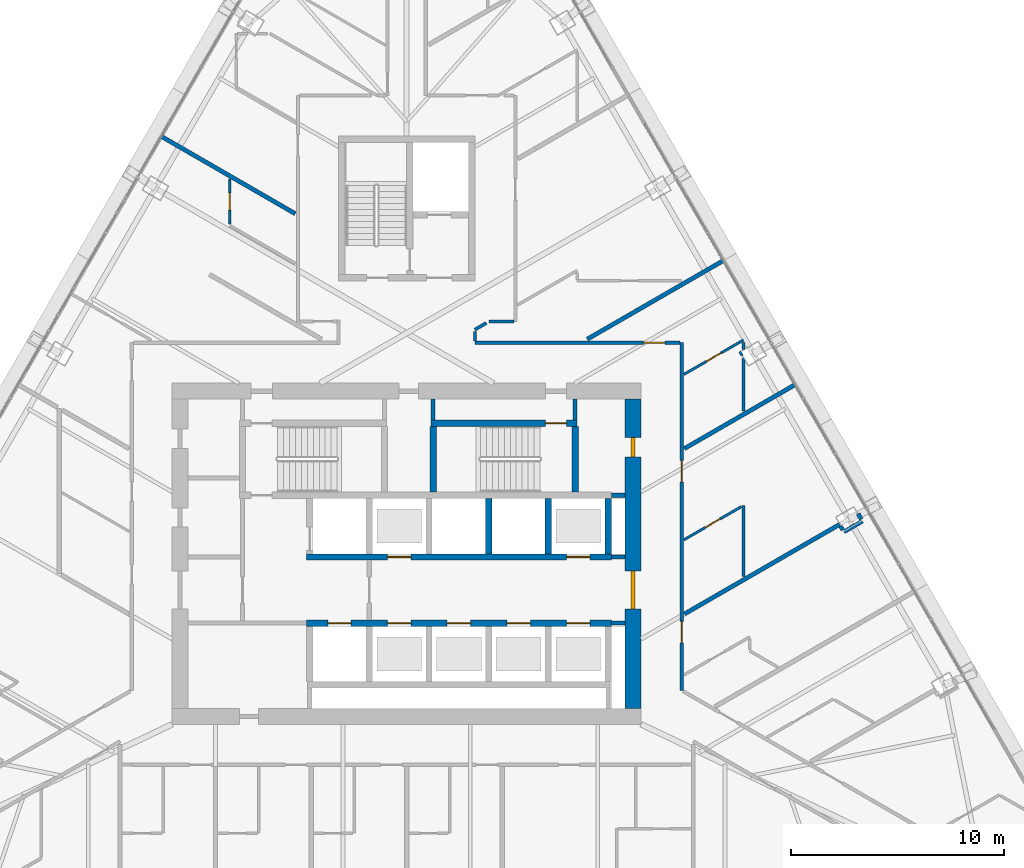
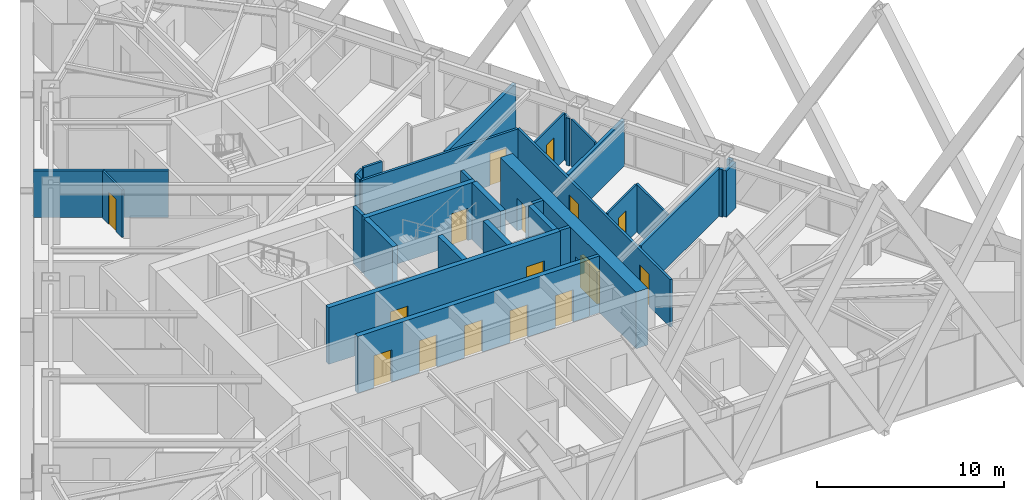
# One storey, part 20 of 24: 33 walls, 16 doors, 16 openings.
"""IFC4 building model written with IfcOpenShell, lengths in metres."""

from ifc_helpers import new_model, si_unit, direction, frame, frame_2d, origin, place, context, subcontext, project, spatial, rectangle, extrude, material, layer, layer_set, type_object, element, fill, save


model = new_model("IFC4")

# Units and contexts
model_context = context("Model", 3, precision=1e-05, world=origin(), true_north=direction((0.0, 1.0)))
body_context = subcontext(model_context, "Body", "Model", "MODEL_VIEW")
ifc_project = project(units=[si_unit("LENGTHUNIT", "METRE"), si_unit("AREAUNIT", "SQUARE_METRE"), si_unit("VOLUMEUNIT", "CUBIC_METRE"), si_unit("PLANEANGLEUNIT", "RADIAN"), si_unit("MASSUNIT", "GRAM", prefix="KILO")], contexts=[model_context])

# Site, building, storey
site_placement = place(None, origin())
site = spatial("IfcSite", under=ifc_project, at=site_placement, CompositionType="ELEMENT")
building_placement = place(site_placement, origin())
building = spatial("IfcBuilding", under=site, at=building_placement, Name="Firuza Gate Tower and Library", CompositionType="ELEMENT")
storey_placement = place(building_placement, frame((0.0, 0.0, 171.39990234375)))
storey = spatial("IfcBuildingStorey", under=building, at=storey_placement, Name="L39", CompositionType="ELEMENT", Elevation=171.39990234375)

# Walls
ifc_material_1 = material(Name="Plasterboard on steel studs", Category="steel")
ifc_layer_1 = layer(ifc_material_1, 0.199951171875)
ifc_layer_set_1 = layer_set([ifc_layer_1], Name="Core partition 200 EI 120")
wall_type_1 = type_object("IfcWallType", Name="Core partition 200 EI 120", PredefinedType="PARTITIONING", material=ifc_layer_set_1)
for number, where, z_axis, x_axis, name in (
    (1, (84.60009765625, 71.75, 0.0), (0.0, 0.0, 1.0), (1.0, 0.0, 0.0), "Core partition L39 2"),
    (2, (84.60009765625, 74.85009765625, 0.0), (0.0, 0.0, 1.0), (1.0, 0.0, 0.0), "Core partition L39 4"),
    (3, (84.60009765625, 77.75, 0.0), (0.0, 0.0, 1.0), (1.0, 0.0, 0.0), "Core partition L39 5"),
):
    element("IfcWall", number, at=place(storey_placement, frame(where, z_axis=z_axis, x_axis=x_axis)), inside=storey, type_object=wall_type_1, Name=name, PredefinedType="PARTITIONING", context=body_context, shape_type="SweptSolid", body=[
        extrude(rectangle(XDim=0.64990234375, YDim=0.199951171875, at=frame_2d((0.324951171875, 0.0))), origin(), (0.0, 0.0, 1.0), 3.7001953125),
    ])
ifc_material_2 = material(Name="Plasterboard on steel studs", Category="steel")
ifc_layer_2 = layer(ifc_material_2, 0.199951171875)
ifc_layer_set_2 = layer_set([ifc_layer_2], Name="Core partition 200 EI 60")
wall_type_2 = type_object("IfcWallType", Name="Core partition 200 EI 60", PredefinedType="PARTITIONING", material=ifc_layer_set_2)
for number, where, z_axis, x_axis, name in (
    (4, (76.239990234375, 81.280029296875, 0.0), (0.0, 0.0, 1.0), (0.0, 1.0, 0.0), "Core partition L39 12"),
    (5, (82.89990234375, 81.280029296875, 0.0), (0.0, 0.0, 1.0), (0.0, 1.0, 0.0), "Core partition L39 13"),
):
    element("IfcWall", number, at=place(storey_placement, frame(where, z_axis=z_axis, x_axis=x_axis)), inside=storey, type_object=wall_type_2, Name=name, PredefinedType="PARTITIONING", context=body_context, shape_type="SweptSolid", body=[
        extrude(rectangle(XDim=0.969970703125, YDim=0.199951171875, at=frame_2d((0.48486328125, 0.0))), origin(), (0.0, 0.0, 1.0), 3.7001953125),
    ])

# Wall, openings, doors
ifc_material_3 = material(Name="Concrete C80/95", Category="concrete")
ifc_layer_3 = layer(ifc_material_3, 0.300048828125)
ifc_layer_set_3 = layer_set([ifc_layer_3], Name="Core wall 300 C80/95")
wall_type_3 = type_object("IfcWallType", Name="Core wall 300 C80/95", PredefinedType="SHEAR", material=ifc_layer_set_3)
wall_1_placement = place(storey_placement, frame((70.300048828125, 71.75, 0.0), z_axis=(0.0, 0.0, 1.0), x_axis=(1.0, 0.0, 0.0)))
wall_1 = element("IfcWall", 6, at=wall_1_placement, inside=storey, type_object=wall_type_3, Name="Core wall L39 6", PredefinedType="SHEAR", context=body_context, shape_type="SweptSolid", body=[
    extrude(rectangle(XDim=14.300048828125, YDim=0.300048828125, at=frame_2d((7.14990234375, 0.0))), origin(), (0.0, 0.0, 1.0), 3.7001953125),
])
opening_1_placement = place(wall_1_placement, frame((1.0, 0.0, 0.0)))
opening_1 = element("IfcOpeningElement", 7, at=opening_1_placement, cuts=wall_1, Name="Opening LD-FF1-L39", PredefinedType="OPENING", context=body_context, shape_type="SweptSolid", body=[
    extrude(rectangle(XDim=1.10009765625, YDim=2.10009765625, at=frame_2d((0.550048828125, 1.050048828125))), frame((0.0, 0.16015625, 0.0), z_axis=(0.0, -1.0, 0.0), x_axis=(1.0, 0.0, 0.0)), (0.0, 0.0, 1.0), 0.320068359375),
])
opening_2_placement = place(wall_1_placement, frame((3.800048828125, 0.0, 0.0)))
opening_2 = element("IfcOpeningElement", 8, at=opening_2_placement, cuts=wall_1, Name="Opening LD-MR1-L39", PredefinedType="OPENING", context=body_context, shape_type="SweptSolid", body=[
    extrude(rectangle(XDim=1.10009765625, YDim=2.10009765625, at=frame_2d((0.550048828125, 1.050048828125))), frame((0.0, 0.16015625, 0.0), z_axis=(0.0, -1.0, 0.0), x_axis=(1.0, 0.0, 0.0)), (0.0, 0.0, 1.0), 0.320068359375),
])
opening_3_placement = place(wall_1_placement, frame((6.60009765625, 0.0, 0.0)))
opening_3 = element("IfcOpeningElement", 9, at=opening_3_placement, cuts=wall_1, Name="Opening LD-MR2-L39", PredefinedType="OPENING", context=body_context, shape_type="SweptSolid", body=[
    extrude(rectangle(XDim=1.10009765625, YDim=2.10009765625, at=frame_2d((0.550048828125, 1.050048828125))), frame((0.0, 0.16015625, 0.0), z_axis=(0.0, -1.0, 0.0), x_axis=(1.0, 0.0, 0.0)), (0.0, 0.0, 1.0), 0.320068359375),
])
opening_4_placement = place(wall_1_placement, frame((9.39990234375, 0.0, 0.0)))
opening_4 = element("IfcOpeningElement", 10, at=opening_4_placement, cuts=wall_1, Name="Opening LD-MR3-L39", PredefinedType="OPENING", context=body_context, shape_type="SweptSolid", body=[
    extrude(rectangle(XDim=1.10009765625, YDim=2.10009765625, at=frame_2d((0.550048828125, 1.050048828125))), frame((0.0, 0.16015625, 0.0), z_axis=(0.0, -1.0, 0.0), x_axis=(1.0, 0.0, 0.0)), (0.0, 0.0, 1.0), 0.320068359375),
])
opening_5_placement = place(wall_1_placement, frame((12.199951171875, 0.0, 0.0)))
opening_5 = element("IfcOpeningElement", 11, at=opening_5_placement, cuts=wall_1, Name="Opening LD-MR5-L39", PredefinedType="OPENING", context=body_context, shape_type="SweptSolid", body=[
    extrude(rectangle(XDim=1.10009765625, YDim=2.10009765625, at=frame_2d((0.550048828125, 1.050048828125))), frame((0.0, 0.16015625, 0.0), z_axis=(0.0, -1.0, 0.0), x_axis=(1.0, 0.0, 0.0)), (0.0, 0.0, 1.0), 0.320068359375),
])
ifc_material_4 = material(Name="Stainless steel", Category="steel")
door_type_1 = type_object("IfcDoorType", Name="Lift landing door 1100x2100", OperationType="DOUBLE_DOOR_SLIDING", PredefinedType="DOOR", material=ifc_material_4)
door_1_placement = place(opening_1_placement, origin())
door_1 = element("IfcDoor", 12, at=door_1_placement, inside=storey, type_object=door_type_1, Name="Landing door FF1 L39", OperationType="DOUBLE_DOOR_SLIDING", OverallHeight=2.10009765625, OverallWidth=1.10009765625, PredefinedType="DOOR", context=body_context, shape_type="SweptSolid", body=[
    extrude(rectangle(XDim=1.10009765625, YDim=2.10009765625, at=frame_2d((0.550048828125, 1.050048828125))), frame((0.0, 0.02490234375, 0.0), z_axis=(0.0, -1.0, 0.0), x_axis=(1.0, 0.0, 0.0)), (0.0, 0.0, 1.0), 0.050048828125),
])
fill(opening_1, door_1)
door_2_placement = place(opening_2_placement, origin())
door_2 = element("IfcDoor", 13, at=door_2_placement, inside=storey, type_object=door_type_1, Name="Landing door MR1 L39", OperationType="DOUBLE_DOOR_SLIDING", OverallHeight=2.10009765625, OverallWidth=1.10009765625, PredefinedType="DOOR", context=body_context, shape_type="SweptSolid", body=[
    extrude(rectangle(XDim=1.10009765625, YDim=2.10009765625, at=frame_2d((0.550048828125, 1.050048828125))), frame((0.0, 0.02490234375, 0.0), z_axis=(0.0, -1.0, 0.0), x_axis=(1.0, 0.0, 0.0)), (0.0, 0.0, 1.0), 0.050048828125),
])
fill(opening_2, door_2)
door_3_placement = place(opening_3_placement, origin())
door_3 = element("IfcDoor", 14, at=door_3_placement, inside=storey, type_object=door_type_1, Name="Landing door MR2 L39", OperationType="DOUBLE_DOOR_SLIDING", OverallHeight=2.10009765625, OverallWidth=1.10009765625, PredefinedType="DOOR", context=body_context, shape_type="SweptSolid", body=[
    extrude(rectangle(XDim=1.10009765625, YDim=2.10009765625, at=frame_2d((0.550048828125, 1.050048828125))), frame((0.0, 0.02490234375, 0.0), z_axis=(0.0, -1.0, 0.0), x_axis=(1.0, 0.0, 0.0)), (0.0, 0.0, 1.0), 0.050048828125),
])
fill(opening_3, door_3)
door_4_placement = place(opening_4_placement, origin())
door_4 = element("IfcDoor", 15, at=door_4_placement, inside=storey, type_object=door_type_1, Name="Landing door MR3 L39", OperationType="DOUBLE_DOOR_SLIDING", OverallHeight=2.10009765625, OverallWidth=1.10009765625, PredefinedType="DOOR", context=body_context, shape_type="SweptSolid", body=[
    extrude(rectangle(XDim=1.10009765625, YDim=2.10009765625, at=frame_2d((0.550048828125, 1.050048828125))), frame((0.0, 0.02490234375, 0.0), z_axis=(0.0, -1.0, 0.0), x_axis=(1.0, 0.0, 0.0)), (0.0, 0.0, 1.0), 0.050048828125),
])
fill(opening_4, door_4)
door_5_placement = place(opening_5_placement, origin())
door_5 = element("IfcDoor", 16, at=door_5_placement, inside=storey, type_object=door_type_1, Name="Landing door MR5 L39", OperationType="DOUBLE_DOOR_SLIDING", OverallHeight=2.10009765625, OverallWidth=1.10009765625, PredefinedType="DOOR", context=body_context, shape_type="SweptSolid", body=[
    extrude(rectangle(XDim=1.10009765625, YDim=2.10009765625, at=frame_2d((0.550048828125, 1.050048828125))), frame((0.0, 0.02490234375, 0.0), z_axis=(0.0, -1.0, 0.0), x_axis=(1.0, 0.0, 0.0)), (0.0, 0.0, 1.0), 0.050048828125),
])
fill(opening_5, door_5)

wall_2_placement = place(storey_placement, frame((70.300048828125, 74.85009765625, 0.0), z_axis=(0.0, 0.0, 1.0), x_axis=(1.0, 0.0, 0.0)))
wall_2 = element("IfcWall", 17, at=wall_2_placement, inside=storey, type_object=wall_type_3, Name="Core wall L39 7", PredefinedType="SHEAR", context=body_context, shape_type="SweptSolid", body=[
    extrude(rectangle(XDim=14.300048828125, YDim=0.300048828125, at=frame_2d((7.14990234375, 0.0))), origin(), (0.0, 0.0, 1.0), 3.7001953125),
])
opening_6_placement = place(wall_2_placement, frame((3.800048828125, 0.0, 0.0)))
opening_6 = element("IfcOpeningElement", 18, at=opening_6_placement, cuts=wall_2, Name="Opening LD-MR4-L39", PredefinedType="OPENING", context=body_context, shape_type="SweptSolid", body=[
    extrude(rectangle(XDim=1.10009765625, YDim=2.10009765625, at=frame_2d((0.550048828125, 1.050048828125))), frame((0.0, 0.16015625, 0.0), z_axis=(0.0, -1.0, 0.0), x_axis=(1.0, 0.0, 0.0)), (0.0, 0.0, 1.0), 0.320068359375),
])
opening_7_placement = place(wall_2_placement, frame((12.199951171875, 0.0, 0.0)))
opening_7 = element("IfcOpeningElement", 19, at=opening_7_placement, cuts=wall_2, Name="Opening LD-MR6-L39", PredefinedType="OPENING", context=body_context, shape_type="SweptSolid", body=[
    extrude(rectangle(XDim=1.10009765625, YDim=2.10009765625, at=frame_2d((0.550048828125, 1.050048828125))), frame((0.0, 0.16015625, 0.0), z_axis=(0.0, -1.0, 0.0), x_axis=(1.0, 0.0, 0.0)), (0.0, 0.0, 1.0), 0.320068359375),
])
door_6_placement = place(opening_6_placement, origin())
door_6 = element("IfcDoor", 20, at=door_6_placement, inside=storey, type_object=door_type_1, Name="Landing door MR4 L39", OperationType="DOUBLE_DOOR_SLIDING", OverallHeight=2.10009765625, OverallWidth=1.10009765625, PredefinedType="DOOR", context=body_context, shape_type="SweptSolid", body=[
    extrude(rectangle(XDim=1.10009765625, YDim=2.10009765625, at=frame_2d((0.550048828125, 1.050048828125))), frame((0.0, 0.02490234375, 0.0), z_axis=(0.0, -1.0, 0.0), x_axis=(1.0, 0.0, 0.0)), (0.0, 0.0, 1.0), 0.050048828125),
])
fill(opening_6, door_6)
door_7_placement = place(opening_7_placement, origin())
door_7 = element("IfcDoor", 21, at=door_7_placement, inside=storey, type_object=door_type_1, Name="Landing door MR6 L39", OperationType="DOUBLE_DOOR_SLIDING", OverallHeight=2.10009765625, OverallWidth=1.10009765625, PredefinedType="DOOR", context=body_context, shape_type="SweptSolid", body=[
    extrude(rectangle(XDim=1.10009765625, YDim=2.10009765625, at=frame_2d((0.550048828125, 1.050048828125))), frame((0.0, 0.02490234375, 0.0), z_axis=(0.0, -1.0, 0.0), x_axis=(1.0, 0.0, 0.0)), (0.0, 0.0, 1.0), 0.050048828125),
])
fill(opening_7, door_7)

# Walls
for number, where, z_axis, x_axis, name in (
    (22, (78.85009765625, 75.0, 0.0), (0.0, 0.0, 1.0), (0.0, 1.0, 0.0), "Core wall L39 15"),
    (23, (81.64990234375, 75.0, 0.0), (0.0, 0.0, 1.0), (0.0, 1.0, 0.0), "Core wall L39 17"),
    (24, (84.449951171875, 75.0, 0.0), (0.0, 0.0, 1.0), (0.0, 1.0, 0.0), "Core wall L39 19"),
):
    element("IfcWall", number, at=place(storey_placement, frame(where, z_axis=z_axis, x_axis=x_axis)), inside=storey, type_object=wall_type_3, Name=name, PredefinedType="SHEAR", context=body_context, shape_type="SweptSolid", body=[
        extrude(rectangle(XDim=2.60009765625, YDim=0.300048828125, at=frame_2d((1.300048828125, 0.0))), origin(), (0.0, 0.0, 1.0), 3.7001953125),
    ])

# Wall, opening, door
wall_3_placement = place(storey_placement, frame((76.139892578125, 81.1298828125, 0.0), z_axis=(0.0, 0.0, 1.0), x_axis=(1.0, 0.0, 0.0)))
wall_3 = element("IfcWall", 25, at=wall_3_placement, inside=storey, type_object=wall_type_3, Name="Core wall L39 22", PredefinedType="SHEAR", context=body_context, shape_type="SweptSolid", body=[
    extrude(rectangle(XDim=6.860107421875, YDim=0.300048828125, at=frame_2d((3.43017578125, 0.0))), origin(), (0.0, 0.0, 1.0), 3.7001953125),
])
opening_8_placement = place(wall_3_placement, frame((5.364990234375, 0.0, 0.0)))
opening_8 = element("IfcOpeningElement", 26, at=opening_8_placement, cuts=wall_3, Name="Opening L39-K13", PredefinedType="OPENING", context=body_context, shape_type="SweptSolid", body=[
    extrude(rectangle(XDim=1.0, YDim=2.10009765625, at=frame_2d((0.5, 1.050048828125))), frame((0.0, 0.16015625, 0.0), z_axis=(0.0, -1.0, 0.0), x_axis=(1.0, 0.0, 0.0)), (0.0, 0.0, 1.0), 0.320068359375),
])
ifc_material_5 = material(Name="Steel", Category="steel")
door_type_2 = type_object("IfcDoorType", Name="Fire door 1000x2100 FD90", OperationType="NOTDEFINED", PredefinedType="DOOR", material=ifc_material_5)
door_8_placement = place(opening_8_placement, origin())
door_8 = element("IfcDoor", 27, at=door_8_placement, inside=storey, type_object=door_type_2, Name="Door L39-K13", OperationType="SINGLE_SWING_RIGHT", OverallHeight=2.10009765625, OverallWidth=1.0, PredefinedType="DOOR", context=body_context, shape_type="SweptSolid", body=[
    extrude(rectangle(XDim=1.0, YDim=2.10009765625, at=frame_2d((0.5, 1.050048828125))), frame((0.0, 0.02490234375, 0.0), z_axis=(0.0, -1.0, 0.0), x_axis=(1.0, 0.0, 0.0)), (0.0, 0.0, 1.0), 0.050048828125),
])
fill(opening_8, door_8)

# Walls
for number, where, z_axis, x_axis, name in (
    (28, (76.239990234375, 77.89990234375, 0.0), (0.0, 0.0, 1.0), (0.0, 1.0, 0.0), "Core wall L39 25"),
    (29, (82.89990234375, 77.89990234375, 0.0), (0.0, 0.0, 1.0), (0.0, 1.0, 0.0), "Core wall L39 26"),
):
    element("IfcWall", number, at=place(storey_placement, frame(where, z_axis=z_axis, x_axis=x_axis)), inside=storey, type_object=wall_type_3, Name=name, PredefinedType="SHEAR", context=body_context, shape_type="SweptSolid", body=[
        extrude(rectangle(XDim=3.080078125, YDim=0.300048828125, at=frame_2d((1.5400390625, 0.0))), origin(), (0.0, 0.0, 1.0), 3.7001953125),
    ])

# Wall, openings, doors
ifc_material_6 = material(Name="Concrete C80/95", Category="concrete")
ifc_layer_4 = layer(ifc_material_6, 0.75)
ifc_layer_set_4 = layer_set([ifc_layer_4], Name="Core wall 750 C80/95")
wall_type_4 = type_object("IfcWallType", Name="Core wall 750 C80/95", PredefinedType="SHEAR", material=ifc_layer_set_4)
wall_4_placement = place(storey_placement, frame((85.625, 67.75, 0.0), z_axis=(0.0, 0.0, 1.0), x_axis=(0.0, 1.0, 0.0)))
wall_4 = element("IfcWall", 30, at=wall_4_placement, inside=storey, type_object=wall_type_4, Name="Core wall L39 4", PredefinedType="SHEAR", context=body_context, shape_type="SweptSolid", body=[
    extrude(rectangle(XDim=14.5, YDim=0.75, at=frame_2d((7.25, 0.0))), origin(), (0.0, 0.0, 1.0), 3.7001953125),
])
opening_9_placement = place(wall_4_placement, frame((4.64990234375, 0.0, 0.0)))
opening_9 = element("IfcOpeningElement", 31, at=opening_9_placement, cuts=wall_4, Name="Opening L39-K21", PredefinedType="OPENING", context=body_context, shape_type="SweptSolid", body=[
    extrude(rectangle(XDim=1.800048828125, YDim=2.10009765625, at=frame_2d((0.89990234375, 1.050048828125))), frame((0.0, 0.385009765625, 0.0), z_axis=(0.0, -1.0, 0.0), x_axis=(1.0, 0.0, 0.0)), (0.0, 0.0, 1.0), 0.77001953125),
])
opening_10_placement = place(wall_4_placement, frame((11.800048828125, 0.0, 0.0)))
opening_10 = element("IfcOpeningElement", 32, at=opening_10_placement, cuts=wall_4, Name="Opening L39-K26", PredefinedType="OPENING", context=body_context, shape_type="SweptSolid", body=[
    extrude(rectangle(XDim=0.89990234375, YDim=2.10009765625, at=frame_2d((0.449951171875, 1.050048828125))), frame((0.0, 0.385009765625, 0.0), z_axis=(0.0, -1.0, 0.0), x_axis=(1.0, 0.0, 0.0)), (0.0, 0.0, 1.0), 0.77001953125),
])
ifc_material_7 = material(Name="Steel", Category="steel")
door_type_3 = type_object("IfcDoorType", Name="Fire door 1800x2100 FD30S", OperationType="NOTDEFINED", PredefinedType="DOOR", material=ifc_material_7)
door_9_placement = place(opening_9_placement, origin())
door_9 = element("IfcDoor", 33, at=door_9_placement, inside=storey, type_object=door_type_3, Name="Door L39-K21", OperationType="SINGLE_SWING_RIGHT", OverallHeight=2.10009765625, OverallWidth=1.800048828125, PredefinedType="DOOR", context=body_context, shape_type="SweptSolid", body=[
    extrude(rectangle(XDim=1.800048828125, YDim=2.10009765625, at=frame_2d((0.89990234375, 1.050048828125))), frame((0.0, 0.094970703125, 0.0), z_axis=(0.0, -1.0, 0.0), x_axis=(1.0, 0.0, 0.0)), (0.0, 0.0, 1.0), 0.18994140625),
])
fill(opening_9, door_9)
ifc_material_8 = material(Name="Steel", Category="steel")
door_type_4 = type_object("IfcDoorType", Name="Fire door 900x2100 FD30S", OperationType="NOTDEFINED", PredefinedType="DOOR", material=ifc_material_8)
door_10_placement = place(opening_10_placement, origin())
door_10 = element("IfcDoor", 34, at=door_10_placement, inside=storey, type_object=door_type_4, Name="Door L39-K26", OperationType="SINGLE_SWING_LEFT", OverallHeight=2.10009765625, OverallWidth=0.89990234375, PredefinedType="DOOR", context=body_context, shape_type="SweptSolid", body=[
    extrude(rectangle(XDim=0.89990234375, YDim=2.10009765625, at=frame_2d((0.449951171875, 1.050048828125))), frame((0.0, 0.094970703125, 0.0), z_axis=(0.0, -1.0, 0.0), x_axis=(1.0, 0.0, 0.0)), (0.0, 0.0, 1.0), 0.18994140625),
])
fill(opening_10, door_10)

# Wall, opening, door
ifc_material_9 = material(Name="Gypsum board partition")
ifc_layer_5 = layer(ifc_material_9, 0.14990234375)
ifc_layer_set_5 = layer_set([ifc_layer_5], Name="Corridor wall 150 double board on steel studs")
wall_type_5 = type_object("IfcWallType", Name="Corridor wall 150 double board on steel studs", PredefinedType="PARTITIONING", material=ifc_layer_set_5)
wall_5_placement = place(storey_placement, frame((78.199951171875, 84.89990234375, 0.0), z_axis=(0.0, 0.0, 1.0), x_axis=(1.0, 0.0, 0.0)))
wall_5 = element("IfcWall", 35, at=wall_5_placement, inside=storey, type_object=wall_type_5, Name="f:L39:w012", PredefinedType="PARTITIONING", context=body_context, shape_type="SweptSolid", body=[
    extrude(rectangle(XDim=9.62451171875, YDim=0.14990234375, at=frame_2d((4.812255859375, 0.0))), origin(), (0.0, 0.0, 1.0), 3.10009765625),
])
opening_11_placement = place(wall_5_placement, frame((7.908203125, 0.0, 0.0)))
opening_11 = element("IfcOpeningElement", 36, at=opening_11_placement, cuts=wall_5, Name="Opening L39-11", PredefinedType="OPENING", context=body_context, shape_type="SweptSolid", body=[
    extrude(rectangle(XDim=1.0, YDim=2.10009765625, at=frame_2d((0.5, 1.050048828125))), frame((0.0, 0.0849609375, 0.0), z_axis=(0.0, -1.0, 0.0), x_axis=(1.0, 0.0, 0.0)), (0.0, 0.0, 1.0), 0.169921875),
])
ifc_material_10 = material(Name="Steel door and timber leaf", Category="steel")
door_type_5 = type_object("IfcDoorType", Name="Fire door 1000 x 2100 steel frame, timber leaf", OperationType="NOTDEFINED", PredefinedType="DOOR", material=ifc_material_10)
door_11_placement = place(opening_11_placement, origin())
door_11 = element("IfcDoor", 37, at=door_11_placement, inside=storey, type_object=door_type_5, Name="f:L39:d011", OperationType="SINGLE_SWING_LEFT", OverallHeight=2.10009765625, OverallWidth=1.0, PredefinedType="DOOR", context=body_context, shape_type="SweptSolid", body=[
    extrude(rectangle(XDim=1.0, YDim=2.10009765625, at=frame_2d((0.5, 1.050048828125))), frame((0.0, 0.02490234375, 0.0), z_axis=(0.0, -1.0, 0.0), x_axis=(1.0, 0.0, 0.0)), (0.0, 0.0, 1.0), 0.050048828125),
])
fill(opening_11, door_11)

# Walls
wall_6_placement = place(storey_placement, frame((78.8681640625, 85.89990234375, 0.0), z_axis=(0.0, 0.0, 1.0), x_axis=(1.0, 0.0, 0.0)))
element("IfcWall", 38, at=wall_6_placement, inside=storey, type_object=wall_type_5, Name="f:L39:w014", PredefinedType="PARTITIONING", context=body_context, shape_type="SweptSolid", body=[
    extrude(rectangle(XDim=1.15673828125, YDim=0.14990234375, at=frame_2d((0.578369140625, 0.0))), origin(), (0.0, 0.0, 1.0), 3.10009765625),
])
wall_7_placement = place(storey_placement, frame((78.19970703125, 85.5146484375, 0.0), z_axis=(0.0, 0.0, 1.0), x_axis=(0.866035156036, 0.499983108224, 0.0)))
element("IfcWall", 39, at=wall_7_placement, inside=storey, type_object=wall_type_5, Name="f:L39:w039", PredefinedType="PARTITIONING", context=body_context, shape_type="SweptSolid", body=[
    extrude(rectangle(XDim=0.62158203125, YDim=0.14990234375, at=frame_2d((0.310791015625, 0.0))), origin(), (0.0, 0.0, 1.0), 3.10009765625),
])

# Wall, openings, doors
wall_8_placement = place(storey_placement, frame((87.89990234375, 84.8994140625, 0.0), z_axis=(0.0, 0.0, 1.0), x_axis=(0.0, -1.0, 0.0)))
wall_8 = element("IfcWall", 40, at=wall_8_placement, inside=storey, type_object=wall_type_5, Name="f:L39:w054", PredefinedType="PARTITIONING", context=body_context, shape_type="SweptSolid", body=[
    extrude(rectangle(XDim=16.30810546875, YDim=0.14990234375, at=frame_2d((8.154052734375, 0.0))), origin(), (0.0, 0.0, 1.0), 3.10009765625),
])
opening_12_placement = place(wall_8_placement, frame((5.526611328125, 0.0, 0.0)))
opening_12 = element("IfcOpeningElement", 41, at=opening_12_placement, cuts=wall_8, Name="Opening L39-31", PredefinedType="OPENING", context=body_context, shape_type="SweptSolid", body=[
    extrude(rectangle(XDim=1.0, YDim=2.10009765625, at=frame_2d((0.5, 1.050048828125))), frame((0.0, 0.0849609375, 0.0), z_axis=(0.0, -1.0, 0.0), x_axis=(1.0, 0.0, 0.0)), (0.0, 0.0, 1.0), 0.169921875),
])
opening_13_placement = place(wall_8_placement, frame((13.074462890625, 0.0, 0.0)))
opening_13 = element("IfcOpeningElement", 42, at=opening_13_placement, cuts=wall_8, Name="Opening L39-32", PredefinedType="OPENING", context=body_context, shape_type="SweptSolid", body=[
    extrude(rectangle(XDim=1.0, YDim=2.10009765625, at=frame_2d((0.5, 1.050048828125))), frame((0.0, 0.0849609375, 0.0), z_axis=(0.0, -1.0, 0.0), x_axis=(1.0, 0.0, 0.0)), (0.0, 0.0, 1.0), 0.169921875),
])
door_12_placement = place(opening_12_placement, origin())
door_12 = element("IfcDoor", 43, at=door_12_placement, inside=storey, type_object=door_type_5, Name="f:L39:d031", OperationType="SINGLE_SWING_RIGHT", OverallHeight=2.10009765625, OverallWidth=1.0, PredefinedType="DOOR", context=body_context, shape_type="SweptSolid", body=[
    extrude(rectangle(XDim=1.0, YDim=2.10009765625, at=frame_2d((0.5, 1.050048828125))), frame((0.0, 0.02490234375, 0.0), z_axis=(0.0, -1.0, 0.0), x_axis=(1.0, 0.0, 0.0)), (0.0, 0.0, 1.0), 0.050048828125),
])
fill(opening_12, door_12)
door_13_placement = place(opening_13_placement, origin())
door_13 = element("IfcDoor", 44, at=door_13_placement, inside=storey, type_object=door_type_5, Name="f:L39:d032", OperationType="SINGLE_SWING_RIGHT", OverallHeight=2.10009765625, OverallWidth=1.0, PredefinedType="DOOR", context=body_context, shape_type="SweptSolid", body=[
    extrude(rectangle(XDim=1.0, YDim=2.10009765625, at=frame_2d((0.5, 1.050048828125))), frame((0.0, 0.02490234375, 0.0), z_axis=(0.0, -1.0, 0.0), x_axis=(1.0, 0.0, 0.0)), (0.0, 0.0, 1.0), 0.050048828125),
])
fill(opening_13, door_13)

# Walls
wall_9_placement = place(storey_placement, frame((78.199951171875, 84.97509765625, 0.0), z_axis=(0.0, 0.0, 1.0), x_axis=(0.0, 1.0, 0.0)))
element("IfcWall", 45, at=wall_9_placement, inside=storey, type_object=wall_type_5, Name="f:L39:w062", PredefinedType="PARTITIONING", context=body_context, shape_type="SweptSolid", body=[
    extrude(rectangle(XDim=0.45263671875, YDim=0.14990234375, at=frame_2d((0.226318359375, 0.0))), origin(), (0.0, 0.0, 1.0), 3.10009765625),
])
ifc_material_11 = material(Name="Gypsum board partition")
ifc_layer_6 = layer(ifc_material_11, 0.199951171875)
ifc_layer_set_6 = layer_set([ifc_layer_6], Name="Demising wall 200 acoustic double stud")
wall_type_6 = type_object("IfcWallType", Name="Demising wall 200 acoustic double stud", PredefinedType="PARTITIONING", material=ifc_layer_set_6)
wall_10_placement = place(storey_placement, frame((95.511962890625, 76.0322265625, 0.0), z_axis=(0.0, 0.0, 1.0), x_axis=(0.86597798544, 0.50008212199, 0.0)))
element("IfcWall", 46, at=wall_10_placement, inside=storey, type_object=wall_type_6, Name="f:L39:w027", PredefinedType="PARTITIONING", context=body_context, shape_type="SweptSolid", body=[
    extrude(rectangle(XDim=0.998779296875, YDim=0.199951171875, at=frame_2d((0.49951171875, 0.0))), origin(), (0.0, 0.0, 1.0), 3.022216796875),
])
wall_11_placement = place(storey_placement, frame((88.02685546875, 72.1728515625, 0.0), z_axis=(0.0, 0.0, 1.0), x_axis=(0.866035743139, 0.499982091285, 0.0)))
element("IfcWall", 47, at=wall_11_placement, inside=storey, type_object=wall_type_6, Name="f:L39:w028", PredefinedType="PARTITIONING", context=body_context, shape_type="SweptSolid", body=[
    extrude(rectangle(XDim=8.410888671875, YDim=0.199951171875, at=frame_2d((4.20556640625, 0.0))), origin(), (0.0, 0.0, 1.0), 3.10009765625),
])
wall_12_placement = place(storey_placement, frame((88.027099609375, 79.93359375, 0.0), z_axis=(0.0, 0.0, 1.0), x_axis=(0.866030178321, 0.499991730169, 0.0)))
element("IfcWall", 48, at=wall_12_placement, inside=storey, type_object=wall_type_6, Name="f:L39:w032", PredefinedType="PARTITIONING", context=body_context, shape_type="SweptSolid", body=[
    extrude(rectangle(XDim=5.99072265625, YDim=0.199951171875, at=frame_2d((2.995361328125, 0.0))), origin(), (0.0, 0.0, 1.0), 3.022216796875),
])
wall_13_placement = place(storey_placement, frame((83.47119140625, 85.065185546875, 0.0), z_axis=(0.0, 0.0, 1.0), x_axis=(0.866022862013, 0.500004402451, 0.0)))
element("IfcWall", 49, at=wall_13_placement, inside=storey, type_object=wall_type_6, Name="f:L39:w038", PredefinedType="PARTITIONING", context=body_context, shape_type="SweptSolid", body=[
    extrude(rectangle(XDim=7.37060546875, YDim=0.199951171875, at=frame_2d((3.685302734375, 0.0))), origin(), (0.0, 0.0, 1.0), 3.022216796875),
])
wall_14_placement = place(storey_placement, frame((96.326904296875, 76.618896484375, 0.0), z_axis=(0.0, 0.0, 1.0), x_axis=(-0.49965177357, 0.866226359082, 0.0)))
element("IfcWall", 50, at=wall_14_placement, inside=storey, type_object=wall_type_6, Name="f:L39:w088", PredefinedType="PARTITIONING", context=body_context, shape_type="SweptSolid", body=[
    extrude(rectangle(XDim=0.299072265625, YDim=0.199951171875, at=frame_2d((0.1494140625, 0.0))), origin(), (0.0, 0.0, 1.0), 3.10009765625),
])
wall_15_placement = place(storey_placement, frame((95.4609375, 76.118896484375, 0.0), z_axis=(0.0, 0.0, 1.0), x_axis=(-0.500359323436, 0.865817848887, 0.0)))
element("IfcWall", 51, at=wall_15_placement, inside=storey, type_object=wall_type_6, Name="f:L39:w090", PredefinedType="PARTITIONING", context=body_context, shape_type="SweptSolid", body=[
    extrude(rectangle(XDim=0.198974609375, YDim=0.199951171875, at=frame_2d((0.099609375, 0.0))), origin(), (0.0, 0.0, 1.0), 3.10009765625),
])
wall_16_placement = place(storey_placement, frame((69.77294921875, 90.952880859375, 0.0), z_axis=(0.0, 0.0, 1.0), x_axis=(-0.866025463095, 0.499999897272, 0.0)))
element("IfcWall", 52, at=wall_16_placement, inside=storey, type_object=wall_type_6, Name="f:L39:w097", PredefinedType="PARTITIONING", context=body_context, shape_type="SweptSolid", body=[
    extrude(rectangle(XDim=7.236328125, YDim=0.199951171875, at=frame_2d((3.6181640625, 0.0))), origin(), (0.0, 0.0, 1.0), 3.022216796875),
])

# Wall, opening, door
ifc_material_12 = material(Name="Gypsum board partition")
ifc_layer_7 = layer(ifc_material_12, 0.1201171875)
ifc_layer_set_7 = layer_set([ifc_layer_7], Name="Wet-area partition 120 moisture-resistant board")
wall_type_7 = type_object("IfcWallType", Name="Wet-area partition 120 moisture-resistant board", PredefinedType="PARTITIONING", material=ifc_layer_set_7)
wall_17_placement = place(storey_placement, frame((90.705078125, 77.212158203125, 0.0), z_axis=(0.0, 0.0, 1.0), x_axis=(-0.866009247561, -0.500027982357, 0.0)))
wall_17 = element("IfcWall", 53, at=wall_17_placement, inside=storey, type_object=wall_type_7, Name="f:L39:w029", PredefinedType="PARTITIONING", context=body_context, shape_type="SweptSolid", body=[
    extrude(rectangle(XDim=3.112548828125, YDim=0.1201171875, at=frame_2d((1.55615234375, 0.0))), origin(), (0.0, 0.0, 1.0), 3.10009765625),
])
opening_14_placement = place(wall_17_placement, frame((1.156494140625, 0.0, 0.0)))
opening_14 = element("IfcOpeningElement", 54, at=opening_14_placement, cuts=wall_17, Name="Opening L39-18", PredefinedType="OPENING", context=body_context, shape_type="SweptSolid", body=[
    extrude(rectangle(XDim=0.800048828125, YDim=2.10009765625, at=frame_2d((0.39990234375, 1.050048828125))), frame((0.0, 0.070068359375, 0.0), z_axis=(0.0, -1.0, 0.0), x_axis=(1.0, 0.0, 0.0)), (0.0, 0.0, 1.0), 0.14013671875),
])
ifc_material_13 = material(Name="Timber door", Category="wood")
door_type_6 = type_object("IfcDoorType", Name="Door 800 x 2100 timber leaf", OperationType="NOTDEFINED", PredefinedType="DOOR", material=ifc_material_13)
door_14_placement = place(opening_14_placement, origin())
door_14 = element("IfcDoor", 55, at=door_14_placement, inside=storey, type_object=door_type_6, Name="f:L39:d018", OperationType="SINGLE_SWING_LEFT", OverallHeight=2.10009765625, OverallWidth=0.800048828125, PredefinedType="DOOR", context=body_context, shape_type="SweptSolid", body=[
    extrude(rectangle(XDim=0.800048828125, YDim=2.10009765625, at=frame_2d((0.39990234375, 1.050048828125))), frame((0.0, 0.02490234375, 0.0), z_axis=(0.0, -1.0, 0.0), x_axis=(1.0, 0.0, 0.0)), (0.0, 0.0, 1.0), 0.050048828125),
])
fill(opening_14, door_14)

wall_18_placement = place(storey_placement, frame((90.800048828125, 85.027587890625, 0.0), z_axis=(0.0, 0.0, 1.0), x_axis=(-0.866010186656, -0.500026355914, 0.0)))
wall_18 = element("IfcWall", 56, at=wall_18_placement, inside=storey, type_object=wall_type_7, Name="f:L39:w034", PredefinedType="PARTITIONING", context=body_context, shape_type="SweptSolid", body=[
    extrude(rectangle(XDim=3.221923828125, YDim=0.1201171875, at=frame_2d((1.61083984375, 0.0))), origin(), (0.0, 0.0, 1.0), 3.022216796875),
])
opening_15_placement = place(wall_18_placement, frame((1.2109375, 0.0, 0.0)))
opening_15 = element("IfcOpeningElement", 57, at=opening_15_placement, cuts=wall_18, Name="Opening L39-23", PredefinedType="OPENING", context=body_context, shape_type="SweptSolid", body=[
    extrude(rectangle(XDim=0.800048828125, YDim=2.10009765625, at=frame_2d((0.39990234375, 1.050048828125))), frame((0.0, 0.070068359375, 0.0), z_axis=(0.0, -1.0, 0.0), x_axis=(1.0, 0.0, 0.0)), (0.0, 0.0, 1.0), 0.14013671875),
])
door_15_placement = place(opening_15_placement, origin())
door_15 = element("IfcDoor", 58, at=door_15_placement, inside=storey, type_object=door_type_6, Name="f:L39:d023", OperationType="SINGLE_SWING_LEFT", OverallHeight=2.10009765625, OverallWidth=0.800048828125, PredefinedType="DOOR", context=body_context, shape_type="SweptSolid", body=[
    extrude(rectangle(XDim=0.800048828125, YDim=2.10009765625, at=frame_2d((0.39990234375, 1.050048828125))), frame((0.0, 0.02490234375, 0.0), z_axis=(0.0, -1.0, 0.0), x_axis=(1.0, 0.0, 0.0)), (0.0, 0.0, 1.0), 0.050048828125),
])
fill(opening_15, door_15)

# Walls
wall_19_placement = place(storey_placement, frame((90.800048828125, 73.92919921875, 0.0), z_axis=(0.0, 0.0, 1.0), x_axis=(0.0, 1.0, 0.0)))
element("IfcWall", 59, at=wall_19_placement, inside=storey, type_object=wall_type_7, Name="f:L39:w050", PredefinedType="PARTITIONING", context=body_context, shape_type="SweptSolid", body=[
    extrude(rectangle(XDim=3.337158203125, YDim=0.1201171875, at=frame_2d((1.66845703125, 0.0))), origin(), (0.0, 0.0, 1.0), 3.10009765625),
])
wall_20_placement = place(storey_placement, frame((90.800048828125, 81.6904296875, 0.0), z_axis=(0.0, 0.0, 1.0), x_axis=(0.0, 1.0, 0.0)))
element("IfcWall", 60, at=wall_20_placement, inside=storey, type_object=wall_type_7, Name="f:L39:w051", PredefinedType="PARTITIONING", context=body_context, shape_type="SweptSolid", body=[
    extrude(rectangle(XDim=2.501953125, YDim=0.1201171875, at=frame_2d((1.2509765625, 0.0))), origin(), (0.0, 0.0, 1.0), 3.10009765625),
])
wall_21_placement = place(storey_placement, frame((90.800048828125, 84.583984375, 0.0), z_axis=(0.0, 0.0, 1.0), x_axis=(0.0, 1.0, 0.0)))
element("IfcWall", 61, at=wall_21_placement, inside=storey, type_object=wall_type_7, Name="f:L39:w052", PredefinedType="PARTITIONING", context=body_context, shape_type="SweptSolid", body=[
    extrude(rectangle(XDim=0.334228515625, YDim=0.1201171875, at=frame_2d((0.1669921875, 0.0))), origin(), (0.0, 0.0, 1.0), 3.022216796875),
])

# Wall, opening, door
wall_22_placement = place(storey_placement, frame((66.699951171875, 92.572021484375, 0.0), z_axis=(0.0, 0.0, 1.0), x_axis=(0.0, -1.0, 0.0)))
wall_22 = element("IfcWall", 62, at=wall_22_placement, inside=storey, type_object=wall_type_7, Name="f:L39:w076", PredefinedType="PARTITIONING", context=body_context, shape_type="SweptSolid", body=[
    extrude(rectangle(XDim=2.103759765625, YDim=0.1201171875, at=frame_2d((1.0517578125, 0.0))), origin(), (0.0, 0.0, 1.0), 3.10009765625),
])
opening_16_placement = place(wall_22_placement, frame((0.65185546875, 0.0, 0.0)))
opening_16 = element("IfcOpeningElement", 63, at=opening_16_placement, cuts=wall_22, Name="Opening L39-40", PredefinedType="OPENING", context=body_context, shape_type="SweptSolid", body=[
    extrude(rectangle(XDim=0.800048828125, YDim=2.10009765625, at=frame_2d((0.39990234375, 1.050048828125))), frame((0.0, 0.070068359375, 0.0), z_axis=(0.0, -1.0, 0.0), x_axis=(1.0, 0.0, 0.0)), (0.0, 0.0, 1.0), 0.14013671875),
])
door_16_placement = place(opening_16_placement, origin())
door_16 = element("IfcDoor", 64, at=door_16_placement, inside=storey, type_object=door_type_6, Name="f:L39:d040", OperationType="SINGLE_SWING_RIGHT", OverallHeight=2.10009765625, OverallWidth=0.800048828125, PredefinedType="DOOR", context=body_context, shape_type="SweptSolid", body=[
    extrude(rectangle(XDim=0.800048828125, YDim=2.10009765625, at=frame_2d((0.39990234375, 1.050048828125))), frame((0.0, 0.02490234375, 0.0), z_axis=(0.0, -1.0, 0.0), x_axis=(1.0, 0.0, 0.0)), (0.0, 0.0, 1.0), 0.050048828125),
])
fill(opening_16, door_16)

# Wall
wall_23_placement = place(storey_placement, frame((90.73974609375, 84.296142578125, 0.0), z_axis=(0.0, 0.0, 1.0), x_axis=(-0.500333292614, 0.865832891673, 0.0)))
element("IfcWall", 65, at=wall_23_placement, inside=storey, type_object=wall_type_7, Name="f:L39:w091", PredefinedType="PARTITIONING", context=body_context, shape_type="SweptSolid", body=[
    extrude(rectangle(XDim=0.218994140625, YDim=0.1201171875, at=frame_2d((0.109375, 0.0))), origin(), (0.0, 0.0, 1.0), 3.10009765625),
])

save(model, "model.ifc")
